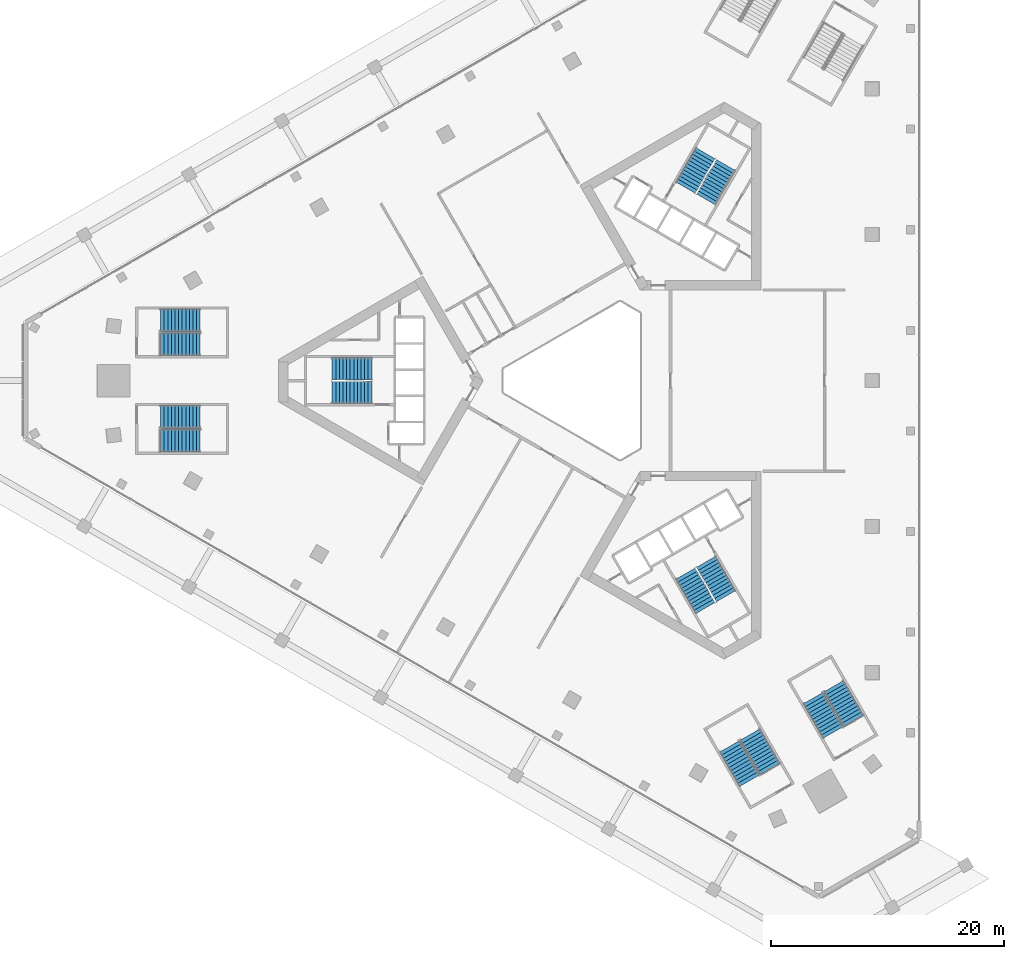
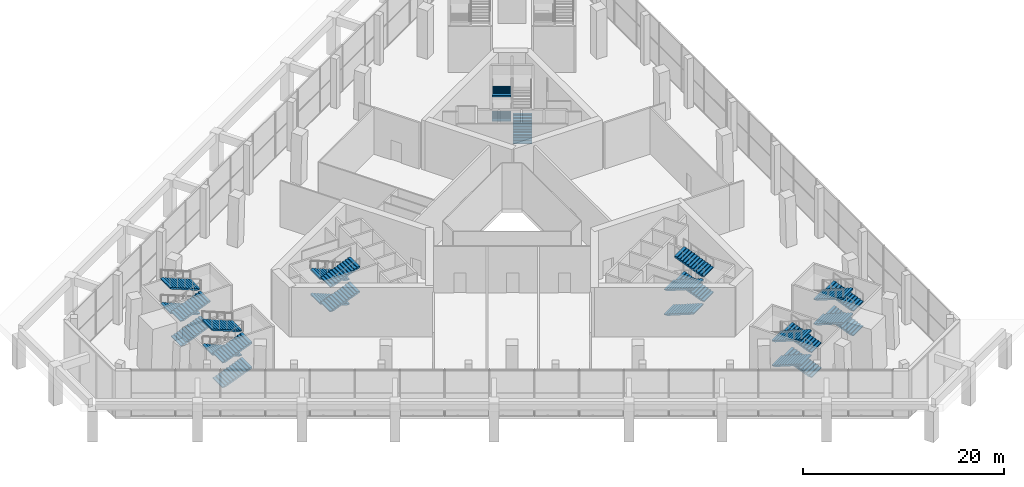
# One storey, part 36 of 51: 27 stair flights, 7 elements without a shape of their own.
"""IFC4 building model written with IfcOpenShell, lengths in metres."""

from ifc_helpers import new_model, si_unit, direction, frame, origin, place, context, subcontext, project, spatial, polyline, outline, extrude, material, type_object, element, aggregate, save


model = new_model("IFC4")

# Units and contexts
model_context = context("Model", 3, precision=1e-05, world=origin(), true_north=direction((0.0, 1.0)))
body_context = subcontext(model_context, "Body", "Model", "MODEL_VIEW")
ifc_project = project(units=[si_unit("LENGTHUNIT", "METRE"), si_unit("AREAUNIT", "SQUARE_METRE"), si_unit("VOLUMEUNIT", "CUBIC_METRE"), si_unit("PLANEANGLEUNIT", "RADIAN"), si_unit("MASSUNIT", "GRAM", prefix="KILO")], contexts=[model_context])

# Site, building, storey
site_placement = place(None, origin())
site = spatial("IfcSite", under=ifc_project, at=site_placement, CompositionType="ELEMENT")
building_placement = place(site_placement, origin())
building = spatial("IfcBuilding", under=site, at=building_placement, Name="Jabali Bay Hotel Tower and Convention Centre", CompositionType="ELEMENT")
storey_placement = place(building_placement, frame((0.0, 0.0, 9.0)))
storey = spatial("IfcBuildingStorey", under=building, at=storey_placement, Name="L01", CompositionType="ELEMENT", Elevation=9.0)

# Stair, stair flights
ifc_material = material(Name="Concrete C40", Category="concrete")
stair_type_1 = type_object("IfcStairType", Name="Exit stair 1900", PredefinedType="HALF_TURN_STAIR", material=ifc_material)
stair_1_placement = place(storey_placement, origin())
stair_1 = element("IfcStair", 1, at=stair_1_placement, inside=storey, type_object=stair_type_1, Name="L01 Exit Stair 1", PredefinedType="HALF_TURN_STAIR")
stair_flight_type = type_object("IfcStairFlightType", Name="Stair flight concrete 150", PredefinedType="STRAIGHT", material=ifc_material)
stair_flight_1_placement = place(storey_placement, frame((56.419921875, 81.02490234375, 0.0), z_axis=(0.0, 0.0, 1.0), x_axis=(-1.0, 0.0, 0.0)))
stair_flight_1 = element("IfcStairFlight", 2, at=stair_flight_1_placement, type_object=stair_flight_type, Name="ST1 flight 1", NumberOfRisers=12, NumberOfTreads=11, PredefinedType="STRAIGHT", RiserHeight=0.125, TreadLength=0.31, context=body_context, shape_type="SweptSolid", body=[
    extrude(outline(polyline([(0.0, 0.0), (0.0, 0.125), (0.31005859375, 0.125), (0.31005859375, 0.25), (0.6201171875, 0.25), (0.6201171875, 0.375), (0.929931640625, 0.375), (0.929931640625, 0.5), (1.239990234375, 0.5), (1.239990234375, 0.625), (1.550048828125, 0.625), (1.550048828125, 0.75), (1.860107421875, 0.75), (1.860107421875, 0.875), (2.169921875, 0.875), (2.169921875, 1.0), (2.47998046875, 1.0), (2.47998046875, 1.125), (2.7900390625, 1.125), (2.7900390625, 1.25), (3.10009765625, 1.25), (3.10009765625, 1.375), (3.409912109375, 1.375), (3.409912109375, 1.5), (3.409912109375, 1.21337890625), (0.40087890625, 0.0), (0.0, 0.0)])), frame((0.0, 0.949951171875, 0.0), z_axis=(0.0, -1.0, 0.0), x_axis=(1.0, 0.0, 0.0)), (0.0, 0.0, 1.0), 1.89990234375),
])
stair_flight_2_placement = place(storey_placement, frame((53.010009765625, 78.97509765625, 1.5), z_axis=(0.0, 0.0, 1.0), x_axis=(1.0, 0.0, 0.0)))
stair_flight_2 = element("IfcStairFlight", 3, at=stair_flight_2_placement, type_object=stair_flight_type, Name="ST1 flight 2", NumberOfRisers=12, NumberOfTreads=11, PredefinedType="STRAIGHT", RiserHeight=0.125, TreadLength=0.31, context=body_context, shape_type="SweptSolid", body=[
    extrude(outline(polyline([(0.0, 0.0), (0.0, 0.125), (0.31005859375, 0.125), (0.31005859375, 0.25), (0.6201171875, 0.25), (0.6201171875, 0.375), (0.929931640625, 0.375), (0.929931640625, 0.5), (1.239990234375, 0.5), (1.239990234375, 0.625), (1.550048828125, 0.625), (1.550048828125, 0.75), (1.860107421875, 0.75), (1.860107421875, 0.875), (2.169921875, 0.875), (2.169921875, 1.0), (2.47998046875, 1.0), (2.47998046875, 1.125), (2.7900390625, 1.125), (2.7900390625, 1.25), (3.10009765625, 1.25), (3.10009765625, 1.375), (3.409912109375, 1.375), (3.409912109375, 1.5), (3.409912109375, 1.21337890625), (0.40087890625, 0.0), (0.0, 0.0)])), frame((0.0, 0.949951171875, 0.0), z_axis=(0.0, -1.0, 0.0), x_axis=(1.0, 0.0, 0.0)), (0.0, 0.0, 1.0), 1.89990234375),
])
stair_flight_3_placement = place(storey_placement, frame((56.419921875, 81.02490234375, 3.0), z_axis=(0.0, 0.0, 1.0), x_axis=(-1.0, 0.0, 0.0)))
stair_flight_3 = element("IfcStairFlight", 4, at=stair_flight_3_placement, type_object=stair_flight_type, Name="ST1 flight 3", NumberOfRisers=12, NumberOfTreads=11, PredefinedType="STRAIGHT", RiserHeight=0.125, TreadLength=0.31, context=body_context, shape_type="SweptSolid", body=[
    extrude(outline(polyline([(0.0, 0.0), (0.0, 0.125), (0.31005859375, 0.125), (0.31005859375, 0.25), (0.6201171875, 0.25), (0.6201171875, 0.375), (0.929931640625, 0.375), (0.929931640625, 0.5), (1.239990234375, 0.5), (1.239990234375, 0.625), (1.550048828125, 0.625), (1.550048828125, 0.75), (1.860107421875, 0.75), (1.860107421875, 0.875), (2.169921875, 0.875), (2.169921875, 1.0), (2.47998046875, 1.0), (2.47998046875, 1.125), (2.7900390625, 1.125), (2.7900390625, 1.25), (3.10009765625, 1.25), (3.10009765625, 1.375), (3.409912109375, 1.375), (3.409912109375, 1.5), (3.409912109375, 1.21337890625), (0.40087890625, 0.0), (0.0, 0.0)])), frame((0.0, 0.949951171875, 0.0), z_axis=(0.0, -1.0, 0.0), x_axis=(1.0, 0.0, 0.0)), (0.0, 0.0, 1.0), 1.89990234375),
])
stair_flight_4_placement = place(storey_placement, frame((53.010009765625, 78.97509765625, 4.5), z_axis=(0.0, 0.0, 1.0), x_axis=(1.0, 0.0, 0.0)))
stair_flight_4 = element("IfcStairFlight", 5, at=stair_flight_4_placement, type_object=stair_flight_type, Name="ST1 flight 4", NumberOfRisers=12, NumberOfTreads=11, PredefinedType="STRAIGHT", RiserHeight=0.125, TreadLength=0.31, context=body_context, shape_type="SweptSolid", body=[
    extrude(outline(polyline([(0.0, 0.0), (0.0, 0.125), (0.31005859375, 0.125), (0.31005859375, 0.25), (0.6201171875, 0.25), (0.6201171875, 0.375), (0.929931640625, 0.375), (0.929931640625, 0.5), (1.239990234375, 0.5), (1.239990234375, 0.625), (1.550048828125, 0.625), (1.550048828125, 0.75), (1.860107421875, 0.75), (1.860107421875, 0.875), (2.169921875, 0.875), (2.169921875, 1.0), (2.47998046875, 1.0), (2.47998046875, 1.125), (2.7900390625, 1.125), (2.7900390625, 1.25), (3.10009765625, 1.25), (3.10009765625, 1.375), (3.409912109375, 1.375), (3.409912109375, 1.5), (3.409912109375, 1.21337890625), (0.40087890625, 0.0), (0.0, 0.0)])), frame((0.0, 0.949951171875, 0.0), z_axis=(0.0, -1.0, 0.0), x_axis=(1.0, 0.0, 0.0)), (0.0, 0.0, 1.0), 1.89990234375),
])
aggregate(stair_1, [stair_flight_1, stair_flight_2, stair_flight_3, stair_flight_4])

stair_2_placement = place(storey_placement, origin())
stair_2 = element("IfcStair", 6, at=stair_2_placement, inside=storey, type_object=stair_type_1, Name="L01 Exit Stair 2", PredefinedType="HALF_TURN_STAIR")
stair_flight_5_placement = place(storey_placement, frame((85.177734375, 95.578369140625, 0.0), z_axis=(0.0, 0.0, 1.0), x_axis=(0.5, 0.866025403784, 0.0)))
stair_flight_5 = element("IfcStairFlight", 7, at=stair_flight_5_placement, type_object=stair_flight_type, Name="ST2 flight 1", NumberOfRisers=12, NumberOfTreads=11, PredefinedType="STRAIGHT", RiserHeight=0.125, TreadLength=0.31, context=body_context, shape_type="SweptSolid", body=[
    extrude(outline(polyline([(0.0, 0.0), (0.0, 0.125), (0.31005859375, 0.125), (0.31005859375, 0.25), (0.6201171875, 0.25), (0.6201171875, 0.375), (0.929931640625, 0.375), (0.929931640625, 0.5), (1.239990234375, 0.5), (1.239990234375, 0.625), (1.550048828125, 0.625), (1.550048828125, 0.75), (1.860107421875, 0.75), (1.860107421875, 0.875), (2.169921875, 0.875), (2.169921875, 1.0), (2.47998046875, 1.0), (2.47998046875, 1.125), (2.7900390625, 1.125), (2.7900390625, 1.25), (3.10009765625, 1.25), (3.10009765625, 1.375), (3.409912109375, 1.375), (3.409912109375, 1.5), (3.409912109375, 1.21337890625), (0.40087890625, 0.0), (0.0, 0.0)])), frame((0.0, 0.949951171875, 0.0), z_axis=(0.0, -1.0, 0.0), x_axis=(1.0, 0.0, 0.0)), (0.0, 0.0, 1.0), 1.89990234375),
])
stair_flight_6_placement = place(storey_placement, frame((85.107421875, 99.556396484375, 1.5), z_axis=(0.0, 0.0, 1.0), x_axis=(-0.5, -0.866025403784, 0.0)))
stair_flight_6 = element("IfcStairFlight", 8, at=stair_flight_6_placement, type_object=stair_flight_type, Name="ST2 flight 2", NumberOfRisers=12, NumberOfTreads=11, PredefinedType="STRAIGHT", RiserHeight=0.125, TreadLength=0.31, context=body_context, shape_type="SweptSolid", body=[
    extrude(outline(polyline([(0.0, 0.0), (0.0, 0.125), (0.31005859375, 0.125), (0.31005859375, 0.25), (0.6201171875, 0.25), (0.6201171875, 0.375), (0.929931640625, 0.375), (0.929931640625, 0.5), (1.239990234375, 0.5), (1.239990234375, 0.625), (1.550048828125, 0.625), (1.550048828125, 0.75), (1.860107421875, 0.75), (1.860107421875, 0.875), (2.169921875, 0.875), (2.169921875, 1.0), (2.47998046875, 1.0), (2.47998046875, 1.125), (2.7900390625, 1.125), (2.7900390625, 1.25), (3.10009765625, 1.25), (3.10009765625, 1.375), (3.409912109375, 1.375), (3.409912109375, 1.5), (3.409912109375, 1.21337890625), (0.40087890625, 0.0), (0.0, 0.0)])), frame((0.0, 0.949951171875, 0.0), z_axis=(0.0, -1.0, 0.0), x_axis=(1.0, 0.0, 0.0)), (0.0, 0.0, 1.0), 1.89990234375),
])
stair_flight_7_placement = place(storey_placement, frame((85.107421875, 99.556396484375, 4.5), z_axis=(0.0, 0.0, 1.0), x_axis=(-0.5, -0.866025403784, 0.0)))
stair_flight_7 = element("IfcStairFlight", 9, at=stair_flight_7_placement, type_object=stair_flight_type, Name="ST2 flight 4", NumberOfRisers=12, NumberOfTreads=11, PredefinedType="STRAIGHT", RiserHeight=0.125, TreadLength=0.31, context=body_context, shape_type="SweptSolid", body=[
    extrude(outline(polyline([(0.0, 0.0), (0.0, 0.125), (0.31005859375, 0.125), (0.31005859375, 0.25), (0.6201171875, 0.25), (0.6201171875, 0.375), (0.929931640625, 0.375), (0.929931640625, 0.5), (1.239990234375, 0.5), (1.239990234375, 0.625), (1.550048828125, 0.625), (1.550048828125, 0.75), (1.860107421875, 0.75), (1.860107421875, 0.875), (2.169921875, 0.875), (2.169921875, 1.0), (2.47998046875, 1.0), (2.47998046875, 1.125), (2.7900390625, 1.125), (2.7900390625, 1.25), (3.10009765625, 1.25), (3.10009765625, 1.375), (3.409912109375, 1.375), (3.409912109375, 1.5), (3.409912109375, 1.21337890625), (0.40087890625, 0.0), (0.0, 0.0)])), frame((0.0, 0.949951171875, 0.0), z_axis=(0.0, -1.0, 0.0), x_axis=(1.0, 0.0, 0.0)), (0.0, 0.0, 1.0), 1.89990234375),
])
aggregate(stair_2, [stair_flight_5, stair_flight_6, stair_flight_7])

stair_3_placement = place(storey_placement, origin())
stair_3 = element("IfcStair", 10, at=stair_3_placement, inside=storey, type_object=stair_type_1, Name="L01 Exit Stair 3", PredefinedType="HALF_TURN_STAIR")
stair_flight_8_placement = place(storey_placement, frame((83.40234375, 63.396728515625, 0.0), z_axis=(0.0, 0.0, 1.0), x_axis=(0.5, -0.866025403784, 0.0)))
stair_flight_8 = element("IfcStairFlight", 11, at=stair_flight_8_placement, type_object=stair_flight_type, Name="ST3 flight 1", NumberOfRisers=12, NumberOfTreads=11, PredefinedType="STRAIGHT", RiserHeight=0.125, TreadLength=0.31, context=body_context, shape_type="SweptSolid", body=[
    extrude(outline(polyline([(0.0, 0.0), (0.0, 0.125), (0.31005859375, 0.125), (0.31005859375, 0.25), (0.6201171875, 0.25), (0.6201171875, 0.375), (0.929931640625, 0.375), (0.929931640625, 0.5), (1.239990234375, 0.5), (1.239990234375, 0.625), (1.550048828125, 0.625), (1.550048828125, 0.75), (1.860107421875, 0.75), (1.860107421875, 0.875), (2.169921875, 0.875), (2.169921875, 1.0), (2.47998046875, 1.0), (2.47998046875, 1.125), (2.7900390625, 1.125), (2.7900390625, 1.25), (3.10009765625, 1.25), (3.10009765625, 1.375), (3.409912109375, 1.375), (3.409912109375, 1.5), (3.409912109375, 1.21337890625), (0.40087890625, 0.0), (0.0, 0.0)])), frame((0.0, 0.949951171875, 0.0), z_axis=(0.0, -1.0, 0.0), x_axis=(1.0, 0.0, 0.0)), (0.0, 0.0, 1.0), 1.89990234375),
])
stair_flight_9_placement = place(storey_placement, frame((86.882568359375, 61.468505859375, 1.5), z_axis=(0.0, 0.0, 1.0), x_axis=(-0.5, 0.866025403784, 0.0)))
stair_flight_9 = element("IfcStairFlight", 12, at=stair_flight_9_placement, type_object=stair_flight_type, Name="ST3 flight 2", NumberOfRisers=12, NumberOfTreads=11, PredefinedType="STRAIGHT", RiserHeight=0.125, TreadLength=0.31, context=body_context, shape_type="SweptSolid", body=[
    extrude(outline(polyline([(0.0, 0.0), (0.0, 0.125), (0.31005859375, 0.125), (0.31005859375, 0.25), (0.6201171875, 0.25), (0.6201171875, 0.375), (0.929931640625, 0.375), (0.929931640625, 0.5), (1.239990234375, 0.5), (1.239990234375, 0.625), (1.550048828125, 0.625), (1.550048828125, 0.75), (1.860107421875, 0.75), (1.860107421875, 0.875), (2.169921875, 0.875), (2.169921875, 1.0), (2.47998046875, 1.0), (2.47998046875, 1.125), (2.7900390625, 1.125), (2.7900390625, 1.25), (3.10009765625, 1.25), (3.10009765625, 1.375), (3.409912109375, 1.375), (3.409912109375, 1.5), (3.409912109375, 1.21337890625), (0.40087890625, 0.0), (0.0, 0.0)])), frame((0.0, 0.949951171875, 0.0), z_axis=(0.0, -1.0, 0.0), x_axis=(1.0, 0.0, 0.0)), (0.0, 0.0, 1.0), 1.89990234375),
])
stair_flight_10_placement = place(storey_placement, frame((83.40234375, 63.396728515625, 3.0), z_axis=(0.0, 0.0, 1.0), x_axis=(0.5, -0.866025403784, 0.0)))
stair_flight_10 = element("IfcStairFlight", 13, at=stair_flight_10_placement, type_object=stair_flight_type, Name="ST3 flight 3", NumberOfRisers=12, NumberOfTreads=11, PredefinedType="STRAIGHT", RiserHeight=0.125, TreadLength=0.31, context=body_context, shape_type="SweptSolid", body=[
    extrude(outline(polyline([(0.0, 0.0), (0.0, 0.125), (0.31005859375, 0.125), (0.31005859375, 0.25), (0.6201171875, 0.25), (0.6201171875, 0.375), (0.929931640625, 0.375), (0.929931640625, 0.5), (1.239990234375, 0.5), (1.239990234375, 0.625), (1.550048828125, 0.625), (1.550048828125, 0.75), (1.860107421875, 0.75), (1.860107421875, 0.875), (2.169921875, 0.875), (2.169921875, 1.0), (2.47998046875, 1.0), (2.47998046875, 1.125), (2.7900390625, 1.125), (2.7900390625, 1.25), (3.10009765625, 1.25), (3.10009765625, 1.375), (3.409912109375, 1.375), (3.409912109375, 1.5), (3.409912109375, 1.21337890625), (0.40087890625, 0.0), (0.0, 0.0)])), frame((0.0, 0.949951171875, 0.0), z_axis=(0.0, -1.0, 0.0), x_axis=(1.0, 0.0, 0.0)), (0.0, 0.0, 1.0), 1.89990234375),
])
stair_flight_11_placement = place(storey_placement, frame((86.882568359375, 61.468505859375, 4.5), z_axis=(0.0, 0.0, 1.0), x_axis=(-0.5, 0.866025403784, 0.0)))
stair_flight_11 = element("IfcStairFlight", 14, at=stair_flight_11_placement, type_object=stair_flight_type, Name="ST3 flight 4", NumberOfRisers=12, NumberOfTreads=11, PredefinedType="STRAIGHT", RiserHeight=0.125, TreadLength=0.31, context=body_context, shape_type="SweptSolid", body=[
    extrude(outline(polyline([(0.0, 0.0), (0.0, 0.125), (0.31005859375, 0.125), (0.31005859375, 0.25), (0.6201171875, 0.25), (0.6201171875, 0.375), (0.929931640625, 0.375), (0.929931640625, 0.5), (1.239990234375, 0.5), (1.239990234375, 0.625), (1.550048828125, 0.625), (1.550048828125, 0.75), (1.860107421875, 0.75), (1.860107421875, 0.875), (2.169921875, 0.875), (2.169921875, 1.0), (2.47998046875, 1.0), (2.47998046875, 1.125), (2.7900390625, 1.125), (2.7900390625, 1.25), (3.10009765625, 1.25), (3.10009765625, 1.375), (3.409912109375, 1.375), (3.409912109375, 1.5), (3.409912109375, 1.21337890625), (0.40087890625, 0.0), (0.0, 0.0)])), frame((0.0, 0.949951171875, 0.0), z_axis=(0.0, -1.0, 0.0), x_axis=(1.0, 0.0, 0.0)), (0.0, 0.0, 1.0), 1.89990234375),
])
aggregate(stair_3, [stair_flight_8, stair_flight_9, stair_flight_10, stair_flight_11])

stair_type_2 = type_object("IfcStairType", Name="Podium stair 1950", PredefinedType="HALF_TURN_STAIR", material=ifc_material)
stair_4_placement = place(storey_placement, origin())
stair_4 = element("IfcStair", 15, at=stair_4_placement, inside=storey, type_object=stair_type_2, Name="L01 Podium Exit Stair 1", PredefinedType="HALF_TURN_STAIR")
stair_flight_12_placement = place(storey_placement, frame((38.25, 74.824951171875, 0.0), z_axis=(0.0, 0.0, 1.0), x_axis=(1.0, 0.0, 0.0)))
stair_flight_12 = element("IfcStairFlight", 16, at=stair_flight_12_placement, type_object=stair_flight_type, Name="PS1 flight 1", NumberOfRisers=12, NumberOfTreads=11, PredefinedType="STRAIGHT", RiserHeight=0.125, TreadLength=0.31, context=body_context, shape_type="SweptSolid", body=[
    extrude(outline(polyline([(0.0, 0.0), (0.0, 0.125), (0.31005859375, 0.125), (0.31005859375, 0.25), (0.6201171875, 0.25), (0.6201171875, 0.375), (0.929931640625, 0.375), (0.929931640625, 0.5), (1.239990234375, 0.5), (1.239990234375, 0.625), (1.550048828125, 0.625), (1.550048828125, 0.75), (1.860107421875, 0.75), (1.860107421875, 0.875), (2.169921875, 0.875), (2.169921875, 1.0), (2.47998046875, 1.0), (2.47998046875, 1.125), (2.7900390625, 1.125), (2.7900390625, 1.25), (3.10009765625, 1.25), (3.10009765625, 1.375), (3.409912109375, 1.375), (3.409912109375, 1.5), (3.409912109375, 1.21337890625), (0.40087890625, 0.0), (0.0, 0.0)])), frame((0.0, 0.97509765625, 0.0), z_axis=(0.0, -1.0, 0.0), x_axis=(1.0, 0.0, 0.0)), (0.0, 0.0, 1.0), 1.949951171875),
])
stair_flight_13_placement = place(storey_placement, frame((41.659912109375, 76.875, 1.5), z_axis=(0.0, 0.0, 1.0), x_axis=(-1.0, 0.0, 0.0)))
stair_flight_13 = element("IfcStairFlight", 17, at=stair_flight_13_placement, type_object=stair_flight_type, Name="PS1 flight 2", NumberOfRisers=12, NumberOfTreads=11, PredefinedType="STRAIGHT", RiserHeight=0.125, TreadLength=0.31, context=body_context, shape_type="SweptSolid", body=[
    extrude(outline(polyline([(0.0, 0.0), (0.0, 0.125), (0.31005859375, 0.125), (0.31005859375, 0.25), (0.6201171875, 0.25), (0.6201171875, 0.375), (0.929931640625, 0.375), (0.929931640625, 0.5), (1.239990234375, 0.5), (1.239990234375, 0.625), (1.550048828125, 0.625), (1.550048828125, 0.75), (1.860107421875, 0.75), (1.860107421875, 0.875), (2.169921875, 0.875), (2.169921875, 1.0), (2.47998046875, 1.0), (2.47998046875, 1.125), (2.7900390625, 1.125), (2.7900390625, 1.25), (3.10009765625, 1.25), (3.10009765625, 1.375), (3.409912109375, 1.375), (3.409912109375, 1.5), (3.409912109375, 1.21337890625), (0.40087890625, 0.0), (0.0, 0.0)])), frame((0.0, 0.97509765625, 0.0), z_axis=(0.0, -1.0, 0.0), x_axis=(1.0, 0.0, 0.0)), (0.0, 0.0, 1.0), 1.949951171875),
])
stair_flight_14_placement = place(storey_placement, frame((38.25, 74.824951171875, 3.0), z_axis=(0.0, 0.0, 1.0), x_axis=(1.0, 0.0, 0.0)))
stair_flight_14 = element("IfcStairFlight", 18, at=stair_flight_14_placement, type_object=stair_flight_type, Name="PS1 flight 3", NumberOfRisers=12, NumberOfTreads=11, PredefinedType="STRAIGHT", RiserHeight=0.125, TreadLength=0.31, context=body_context, shape_type="SweptSolid", body=[
    extrude(outline(polyline([(0.0, 0.0), (0.0, 0.125), (0.31005859375, 0.125), (0.31005859375, 0.25), (0.6201171875, 0.25), (0.6201171875, 0.375), (0.929931640625, 0.375), (0.929931640625, 0.5), (1.239990234375, 0.5), (1.239990234375, 0.625), (1.550048828125, 0.625), (1.550048828125, 0.75), (1.860107421875, 0.75), (1.860107421875, 0.875), (2.169921875, 0.875), (2.169921875, 1.0), (2.47998046875, 1.0), (2.47998046875, 1.125), (2.7900390625, 1.125), (2.7900390625, 1.25), (3.10009765625, 1.25), (3.10009765625, 1.375), (3.409912109375, 1.375), (3.409912109375, 1.5), (3.409912109375, 1.21337890625), (0.40087890625, 0.0), (0.0, 0.0)])), frame((0.0, 0.97509765625, 0.0), z_axis=(0.0, -1.0, 0.0), x_axis=(1.0, 0.0, 0.0)), (0.0, 0.0, 1.0), 1.949951171875),
])
stair_flight_15_placement = place(storey_placement, frame((41.659912109375, 76.875, 4.5), z_axis=(0.0, 0.0, 1.0), x_axis=(-1.0, 0.0, 0.0)))
stair_flight_15 = element("IfcStairFlight", 19, at=stair_flight_15_placement, type_object=stair_flight_type, Name="PS1 flight 4", NumberOfRisers=12, NumberOfTreads=11, PredefinedType="STRAIGHT", RiserHeight=0.125, TreadLength=0.31, context=body_context, shape_type="SweptSolid", body=[
    extrude(outline(polyline([(0.0, 0.0), (0.0, 0.125), (0.31005859375, 0.125), (0.31005859375, 0.25), (0.6201171875, 0.25), (0.6201171875, 0.375), (0.929931640625, 0.375), (0.929931640625, 0.5), (1.239990234375, 0.5), (1.239990234375, 0.625), (1.550048828125, 0.625), (1.550048828125, 0.75), (1.860107421875, 0.75), (1.860107421875, 0.875), (2.169921875, 0.875), (2.169921875, 1.0), (2.47998046875, 1.0), (2.47998046875, 1.125), (2.7900390625, 1.125), (2.7900390625, 1.25), (3.10009765625, 1.25), (3.10009765625, 1.375), (3.409912109375, 1.375), (3.409912109375, 1.5), (3.409912109375, 1.21337890625), (0.40087890625, 0.0), (0.0, 0.0)])), frame((0.0, 0.97509765625, 0.0), z_axis=(0.0, -1.0, 0.0), x_axis=(1.0, 0.0, 0.0)), (0.0, 0.0, 1.0), 1.949951171875),
])
aggregate(stair_4, [stair_flight_12, stair_flight_13, stair_flight_14, stair_flight_15])

stair_5_placement = place(storey_placement, origin())
stair_5 = element("IfcStair", 20, at=stair_5_placement, inside=storey, type_object=stair_type_2, Name="L01 Podium Exit Stair 2", PredefinedType="HALF_TURN_STAIR")
stair_flight_16_placement = place(storey_placement, frame((38.25, 83.125, 0.0), z_axis=(0.0, 0.0, 1.0), x_axis=(1.0, 0.0, 0.0)))
stair_flight_16 = element("IfcStairFlight", 21, at=stair_flight_16_placement, type_object=stair_flight_type, Name="PS2 flight 1", NumberOfRisers=12, NumberOfTreads=11, PredefinedType="STRAIGHT", RiserHeight=0.125, TreadLength=0.31, context=body_context, shape_type="SweptSolid", body=[
    extrude(outline(polyline([(0.0, 0.0), (0.0, 0.125), (0.31005859375, 0.125), (0.31005859375, 0.25), (0.6201171875, 0.25), (0.6201171875, 0.375), (0.929931640625, 0.375), (0.929931640625, 0.5), (1.239990234375, 0.5), (1.239990234375, 0.625), (1.550048828125, 0.625), (1.550048828125, 0.75), (1.860107421875, 0.75), (1.860107421875, 0.875), (2.169921875, 0.875), (2.169921875, 1.0), (2.47998046875, 1.0), (2.47998046875, 1.125), (2.7900390625, 1.125), (2.7900390625, 1.25), (3.10009765625, 1.25), (3.10009765625, 1.375), (3.409912109375, 1.375), (3.409912109375, 1.5), (3.409912109375, 1.21337890625), (0.40087890625, 0.0), (0.0, 0.0)])), frame((0.0, 0.97509765625, 0.0), z_axis=(0.0, -1.0, 0.0), x_axis=(1.0, 0.0, 0.0)), (0.0, 0.0, 1.0), 1.949951171875),
])
stair_flight_17_placement = place(storey_placement, frame((41.659912109375, 85.175048828125, 1.5), z_axis=(0.0, 0.0, 1.0), x_axis=(-1.0, 0.0, 0.0)))
stair_flight_17 = element("IfcStairFlight", 22, at=stair_flight_17_placement, type_object=stair_flight_type, Name="PS2 flight 2", NumberOfRisers=12, NumberOfTreads=11, PredefinedType="STRAIGHT", RiserHeight=0.125, TreadLength=0.31, context=body_context, shape_type="SweptSolid", body=[
    extrude(outline(polyline([(0.0, 0.0), (0.0, 0.125), (0.31005859375, 0.125), (0.31005859375, 0.25), (0.6201171875, 0.25), (0.6201171875, 0.375), (0.929931640625, 0.375), (0.929931640625, 0.5), (1.239990234375, 0.5), (1.239990234375, 0.625), (1.550048828125, 0.625), (1.550048828125, 0.75), (1.860107421875, 0.75), (1.860107421875, 0.875), (2.169921875, 0.875), (2.169921875, 1.0), (2.47998046875, 1.0), (2.47998046875, 1.125), (2.7900390625, 1.125), (2.7900390625, 1.25), (3.10009765625, 1.25), (3.10009765625, 1.375), (3.409912109375, 1.375), (3.409912109375, 1.5), (3.409912109375, 1.21337890625), (0.40087890625, 0.0), (0.0, 0.0)])), frame((0.0, 0.97509765625, 0.0), z_axis=(0.0, -1.0, 0.0), x_axis=(1.0, 0.0, 0.0)), (0.0, 0.0, 1.0), 1.949951171875),
])
stair_flight_18_placement = place(storey_placement, frame((38.25, 83.125, 3.0), z_axis=(0.0, 0.0, 1.0), x_axis=(1.0, 0.0, 0.0)))
stair_flight_18 = element("IfcStairFlight", 23, at=stair_flight_18_placement, type_object=stair_flight_type, Name="PS2 flight 3", NumberOfRisers=12, NumberOfTreads=11, PredefinedType="STRAIGHT", RiserHeight=0.125, TreadLength=0.31, context=body_context, shape_type="SweptSolid", body=[
    extrude(outline(polyline([(0.0, 0.0), (0.0, 0.125), (0.31005859375, 0.125), (0.31005859375, 0.25), (0.6201171875, 0.25), (0.6201171875, 0.375), (0.929931640625, 0.375), (0.929931640625, 0.5), (1.239990234375, 0.5), (1.239990234375, 0.625), (1.550048828125, 0.625), (1.550048828125, 0.75), (1.860107421875, 0.75), (1.860107421875, 0.875), (2.169921875, 0.875), (2.169921875, 1.0), (2.47998046875, 1.0), (2.47998046875, 1.125), (2.7900390625, 1.125), (2.7900390625, 1.25), (3.10009765625, 1.25), (3.10009765625, 1.375), (3.409912109375, 1.375), (3.409912109375, 1.5), (3.409912109375, 1.21337890625), (0.40087890625, 0.0), (0.0, 0.0)])), frame((0.0, 0.97509765625, 0.0), z_axis=(0.0, -1.0, 0.0), x_axis=(1.0, 0.0, 0.0)), (0.0, 0.0, 1.0), 1.949951171875),
])
stair_flight_19_placement = place(storey_placement, frame((41.659912109375, 85.175048828125, 4.5), z_axis=(0.0, 0.0, 1.0), x_axis=(-1.0, 0.0, 0.0)))
stair_flight_19 = element("IfcStairFlight", 24, at=stair_flight_19_placement, type_object=stair_flight_type, Name="PS2 flight 4", NumberOfRisers=12, NumberOfTreads=11, PredefinedType="STRAIGHT", RiserHeight=0.125, TreadLength=0.31, context=body_context, shape_type="SweptSolid", body=[
    extrude(outline(polyline([(0.0, 0.0), (0.0, 0.125), (0.31005859375, 0.125), (0.31005859375, 0.25), (0.6201171875, 0.25), (0.6201171875, 0.375), (0.929931640625, 0.375), (0.929931640625, 0.5), (1.239990234375, 0.5), (1.239990234375, 0.625), (1.550048828125, 0.625), (1.550048828125, 0.75), (1.860107421875, 0.75), (1.860107421875, 0.875), (2.169921875, 0.875), (2.169921875, 1.0), (2.47998046875, 1.0), (2.47998046875, 1.125), (2.7900390625, 1.125), (2.7900390625, 1.25), (3.10009765625, 1.25), (3.10009765625, 1.375), (3.409912109375, 1.375), (3.409912109375, 1.5), (3.409912109375, 1.21337890625), (0.40087890625, 0.0), (0.0, 0.0)])), frame((0.0, 0.97509765625, 0.0), z_axis=(0.0, -1.0, 0.0), x_axis=(1.0, 0.0, 0.0)), (0.0, 0.0, 1.0), 1.949951171875),
])
aggregate(stair_5, [stair_flight_16, stair_flight_17, stair_flight_18, stair_flight_19])

stair_6_placement = place(storey_placement, origin())
stair_6 = element("IfcStair", 25, at=stair_6_placement, inside=storey, type_object=stair_type_2, Name="L01 Podium Exit Stair 5", PredefinedType="HALF_TURN_STAIR")
stair_flight_20_placement = place(storey_placement, frame((97.856689453125, 50.760986328125, 0.0), z_axis=(0.0, 0.0, 1.0), x_axis=(-0.5, 0.866025403784, 0.0)))
stair_flight_20 = element("IfcStairFlight", 26, at=stair_flight_20_placement, type_object=stair_flight_type, Name="PS5 flight 1", NumberOfRisers=12, NumberOfTreads=11, PredefinedType="STRAIGHT", RiserHeight=0.125, TreadLength=0.31, context=body_context, shape_type="SweptSolid", body=[
    extrude(outline(polyline([(0.0, 0.0), (0.0, 0.125), (0.31005859375, 0.125), (0.31005859375, 0.25), (0.6201171875, 0.25), (0.6201171875, 0.375), (0.929931640625, 0.375), (0.929931640625, 0.5), (1.239990234375, 0.5), (1.239990234375, 0.625), (1.550048828125, 0.625), (1.550048828125, 0.75), (1.860107421875, 0.75), (1.860107421875, 0.875), (2.169921875, 0.875), (2.169921875, 1.0), (2.47998046875, 1.0), (2.47998046875, 1.125), (2.7900390625, 1.125), (2.7900390625, 1.25), (3.10009765625, 1.25), (3.10009765625, 1.375), (3.409912109375, 1.375), (3.409912109375, 1.5), (3.409912109375, 1.21337890625), (0.40087890625, 0.0), (0.0, 0.0)])), frame((0.0, 0.97509765625, 0.0), z_axis=(0.0, -1.0, 0.0), x_axis=(1.0, 0.0, 0.0)), (0.0, 0.0, 1.0), 1.949951171875),
])
stair_flight_21_placement = place(storey_placement, frame((94.376220703125, 52.689208984375, 1.5), z_axis=(0.0, 0.0, 1.0), x_axis=(0.5, -0.866025403784, 0.0)))
stair_flight_21 = element("IfcStairFlight", 27, at=stair_flight_21_placement, type_object=stair_flight_type, Name="PS5 flight 2", NumberOfRisers=12, NumberOfTreads=11, PredefinedType="STRAIGHT", RiserHeight=0.125, TreadLength=0.31, context=body_context, shape_type="SweptSolid", body=[
    extrude(outline(polyline([(0.0, 0.0), (0.0, 0.125), (0.31005859375, 0.125), (0.31005859375, 0.25), (0.6201171875, 0.25), (0.6201171875, 0.375), (0.929931640625, 0.375), (0.929931640625, 0.5), (1.239990234375, 0.5), (1.239990234375, 0.625), (1.550048828125, 0.625), (1.550048828125, 0.75), (1.860107421875, 0.75), (1.860107421875, 0.875), (2.169921875, 0.875), (2.169921875, 1.0), (2.47998046875, 1.0), (2.47998046875, 1.125), (2.7900390625, 1.125), (2.7900390625, 1.25), (3.10009765625, 1.25), (3.10009765625, 1.375), (3.409912109375, 1.375), (3.409912109375, 1.5), (3.409912109375, 1.21337890625), (0.40087890625, 0.0), (0.0, 0.0)])), frame((0.0, 0.97509765625, 0.0), z_axis=(0.0, -1.0, 0.0), x_axis=(1.0, 0.0, 0.0)), (0.0, 0.0, 1.0), 1.949951171875),
])
stair_flight_22_placement = place(storey_placement, frame((97.856689453125, 50.760986328125, 3.0), z_axis=(0.0, 0.0, 1.0), x_axis=(-0.5, 0.866025403784, 0.0)))
stair_flight_22 = element("IfcStairFlight", 28, at=stair_flight_22_placement, type_object=stair_flight_type, Name="PS5 flight 3", NumberOfRisers=12, NumberOfTreads=11, PredefinedType="STRAIGHT", RiserHeight=0.125, TreadLength=0.31, context=body_context, shape_type="SweptSolid", body=[
    extrude(outline(polyline([(0.0, 0.0), (0.0, 0.125), (0.31005859375, 0.125), (0.31005859375, 0.25), (0.6201171875, 0.25), (0.6201171875, 0.375), (0.929931640625, 0.375), (0.929931640625, 0.5), (1.239990234375, 0.5), (1.239990234375, 0.625), (1.550048828125, 0.625), (1.550048828125, 0.75), (1.860107421875, 0.75), (1.860107421875, 0.875), (2.169921875, 0.875), (2.169921875, 1.0), (2.47998046875, 1.0), (2.47998046875, 1.125), (2.7900390625, 1.125), (2.7900390625, 1.25), (3.10009765625, 1.25), (3.10009765625, 1.375), (3.409912109375, 1.375), (3.409912109375, 1.5), (3.409912109375, 1.21337890625), (0.40087890625, 0.0), (0.0, 0.0)])), frame((0.0, 0.97509765625, 0.0), z_axis=(0.0, -1.0, 0.0), x_axis=(1.0, 0.0, 0.0)), (0.0, 0.0, 1.0), 1.949951171875),
])
stair_flight_23_placement = place(storey_placement, frame((94.376220703125, 52.689208984375, 4.5), z_axis=(0.0, 0.0, 1.0), x_axis=(0.5, -0.866025403784, 0.0)))
stair_flight_23 = element("IfcStairFlight", 29, at=stair_flight_23_placement, type_object=stair_flight_type, Name="PS5 flight 4", NumberOfRisers=12, NumberOfTreads=11, PredefinedType="STRAIGHT", RiserHeight=0.125, TreadLength=0.31, context=body_context, shape_type="SweptSolid", body=[
    extrude(outline(polyline([(0.0, 0.0), (0.0, 0.125), (0.31005859375, 0.125), (0.31005859375, 0.25), (0.6201171875, 0.25), (0.6201171875, 0.375), (0.929931640625, 0.375), (0.929931640625, 0.5), (1.239990234375, 0.5), (1.239990234375, 0.625), (1.550048828125, 0.625), (1.550048828125, 0.75), (1.860107421875, 0.75), (1.860107421875, 0.875), (2.169921875, 0.875), (2.169921875, 1.0), (2.47998046875, 1.0), (2.47998046875, 1.125), (2.7900390625, 1.125), (2.7900390625, 1.25), (3.10009765625, 1.25), (3.10009765625, 1.375), (3.409912109375, 1.375), (3.409912109375, 1.5), (3.409912109375, 1.21337890625), (0.40087890625, 0.0), (0.0, 0.0)])), frame((0.0, 0.97509765625, 0.0), z_axis=(0.0, -1.0, 0.0), x_axis=(1.0, 0.0, 0.0)), (0.0, 0.0, 1.0), 1.949951171875),
])
aggregate(stair_6, [stair_flight_20, stair_flight_21, stair_flight_22, stair_flight_23])

stair_7_placement = place(storey_placement, origin())
stair_7 = element("IfcStair", 30, at=stair_7_placement, inside=storey, type_object=stair_type_2, Name="L01 Podium Exit Stair 6", PredefinedType="HALF_TURN_STAIR")
stair_flight_24_placement = place(storey_placement, frame((90.668701171875, 46.611083984375, 0.0), z_axis=(0.0, 0.0, 1.0), x_axis=(-0.5, 0.866025403784, 0.0)))
stair_flight_24 = element("IfcStairFlight", 31, at=stair_flight_24_placement, type_object=stair_flight_type, Name="PS6 flight 1", NumberOfRisers=12, NumberOfTreads=11, PredefinedType="STRAIGHT", RiserHeight=0.125, TreadLength=0.31, context=body_context, shape_type="SweptSolid", body=[
    extrude(outline(polyline([(0.0, 0.0), (0.0, 0.125), (0.31005859375, 0.125), (0.31005859375, 0.25), (0.6201171875, 0.25), (0.6201171875, 0.375), (0.929931640625, 0.375), (0.929931640625, 0.5), (1.239990234375, 0.5), (1.239990234375, 0.625), (1.550048828125, 0.625), (1.550048828125, 0.75), (1.860107421875, 0.75), (1.860107421875, 0.875), (2.169921875, 0.875), (2.169921875, 1.0), (2.47998046875, 1.0), (2.47998046875, 1.125), (2.7900390625, 1.125), (2.7900390625, 1.25), (3.10009765625, 1.25), (3.10009765625, 1.375), (3.409912109375, 1.375), (3.409912109375, 1.5), (3.409912109375, 1.21337890625), (0.40087890625, 0.0), (0.0, 0.0)])), frame((0.0, 0.97509765625, 0.0), z_axis=(0.0, -1.0, 0.0), x_axis=(1.0, 0.0, 0.0)), (0.0, 0.0, 1.0), 1.949951171875),
])
stair_flight_25_placement = place(storey_placement, frame((87.188232421875, 48.539306640625, 1.5), z_axis=(0.0, 0.0, 1.0), x_axis=(0.5, -0.866025403784, 0.0)))
stair_flight_25 = element("IfcStairFlight", 32, at=stair_flight_25_placement, type_object=stair_flight_type, Name="PS6 flight 2", NumberOfRisers=12, NumberOfTreads=11, PredefinedType="STRAIGHT", RiserHeight=0.125, TreadLength=0.31, context=body_context, shape_type="SweptSolid", body=[
    extrude(outline(polyline([(0.0, 0.0), (0.0, 0.125), (0.31005859375, 0.125), (0.31005859375, 0.25), (0.6201171875, 0.25), (0.6201171875, 0.375), (0.929931640625, 0.375), (0.929931640625, 0.5), (1.239990234375, 0.5), (1.239990234375, 0.625), (1.550048828125, 0.625), (1.550048828125, 0.75), (1.860107421875, 0.75), (1.860107421875, 0.875), (2.169921875, 0.875), (2.169921875, 1.0), (2.47998046875, 1.0), (2.47998046875, 1.125), (2.7900390625, 1.125), (2.7900390625, 1.25), (3.10009765625, 1.25), (3.10009765625, 1.375), (3.409912109375, 1.375), (3.409912109375, 1.5), (3.409912109375, 1.21337890625), (0.40087890625, 0.0), (0.0, 0.0)])), frame((0.0, 0.97509765625, 0.0), z_axis=(0.0, -1.0, 0.0), x_axis=(1.0, 0.0, 0.0)), (0.0, 0.0, 1.0), 1.949951171875),
])
stair_flight_26_placement = place(storey_placement, frame((90.668701171875, 46.611083984375, 3.0), z_axis=(0.0, 0.0, 1.0), x_axis=(-0.5, 0.866025403784, 0.0)))
stair_flight_26 = element("IfcStairFlight", 33, at=stair_flight_26_placement, type_object=stair_flight_type, Name="PS6 flight 3", NumberOfRisers=12, NumberOfTreads=11, PredefinedType="STRAIGHT", RiserHeight=0.125, TreadLength=0.31, context=body_context, shape_type="SweptSolid", body=[
    extrude(outline(polyline([(0.0, 0.0), (0.0, 0.125), (0.31005859375, 0.125), (0.31005859375, 0.25), (0.6201171875, 0.25), (0.6201171875, 0.375), (0.929931640625, 0.375), (0.929931640625, 0.5), (1.239990234375, 0.5), (1.239990234375, 0.625), (1.550048828125, 0.625), (1.550048828125, 0.75), (1.860107421875, 0.75), (1.860107421875, 0.875), (2.169921875, 0.875), (2.169921875, 1.0), (2.47998046875, 1.0), (2.47998046875, 1.125), (2.7900390625, 1.125), (2.7900390625, 1.25), (3.10009765625, 1.25), (3.10009765625, 1.375), (3.409912109375, 1.375), (3.409912109375, 1.5), (3.409912109375, 1.21337890625), (0.40087890625, 0.0), (0.0, 0.0)])), frame((0.0, 0.97509765625, 0.0), z_axis=(0.0, -1.0, 0.0), x_axis=(1.0, 0.0, 0.0)), (0.0, 0.0, 1.0), 1.949951171875),
])
stair_flight_27_placement = place(storey_placement, frame((87.188232421875, 48.539306640625, 4.5), z_axis=(0.0, 0.0, 1.0), x_axis=(0.5, -0.866025403784, 0.0)))
stair_flight_27 = element("IfcStairFlight", 34, at=stair_flight_27_placement, type_object=stair_flight_type, Name="PS6 flight 4", NumberOfRisers=12, NumberOfTreads=11, PredefinedType="STRAIGHT", RiserHeight=0.125, TreadLength=0.31, context=body_context, shape_type="SweptSolid", body=[
    extrude(outline(polyline([(0.0, 0.0), (0.0, 0.125), (0.31005859375, 0.125), (0.31005859375, 0.25), (0.6201171875, 0.25), (0.6201171875, 0.375), (0.929931640625, 0.375), (0.929931640625, 0.5), (1.239990234375, 0.5), (1.239990234375, 0.625), (1.550048828125, 0.625), (1.550048828125, 0.75), (1.860107421875, 0.75), (1.860107421875, 0.875), (2.169921875, 0.875), (2.169921875, 1.0), (2.47998046875, 1.0), (2.47998046875, 1.125), (2.7900390625, 1.125), (2.7900390625, 1.25), (3.10009765625, 1.25), (3.10009765625, 1.375), (3.409912109375, 1.375), (3.409912109375, 1.5), (3.409912109375, 1.21337890625), (0.40087890625, 0.0), (0.0, 0.0)])), frame((0.0, 0.97509765625, 0.0), z_axis=(0.0, -1.0, 0.0), x_axis=(1.0, 0.0, 0.0)), (0.0, 0.0, 1.0), 1.949951171875),
])
aggregate(stair_7, [stair_flight_24, stair_flight_25, stair_flight_26, stair_flight_27])

save(model, "model.ifc")
